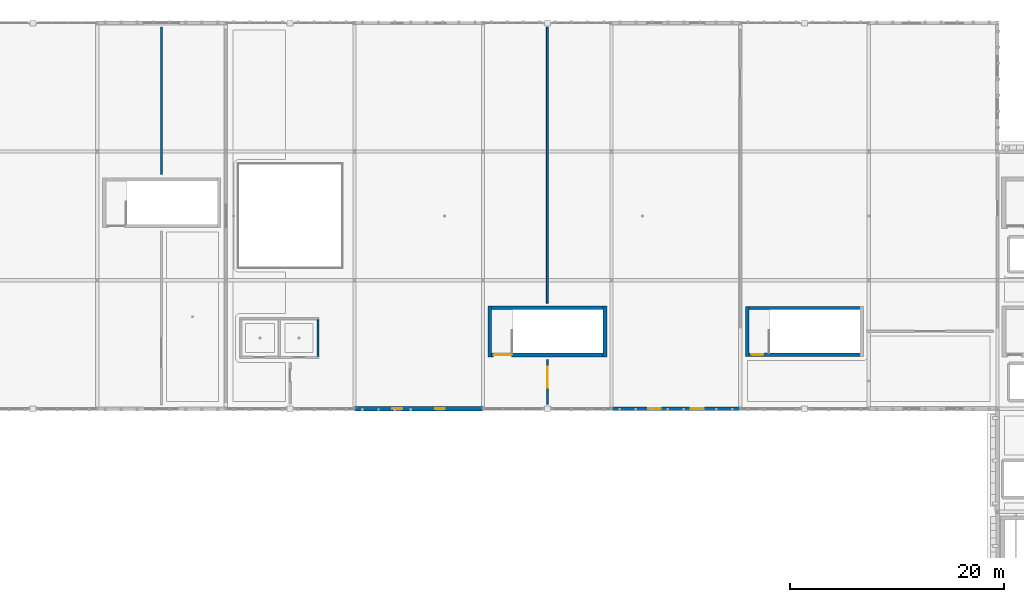
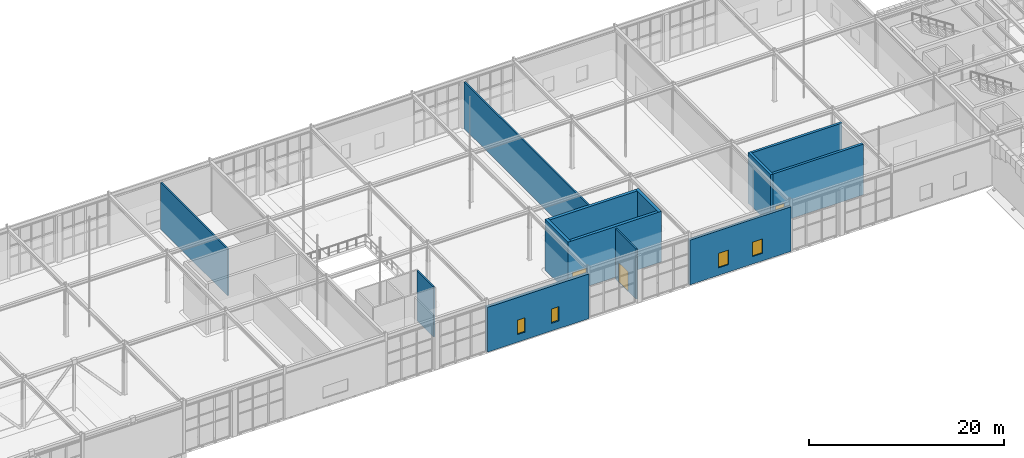
# One storey, part 38 of 62: 13 walls, 4 windows, 3 doors, 7 openings.
"""IFC4 building model written with IfcOpenShell, lengths in metres."""

from ifc_helpers import new_model, si_unit, direction, frame, frame_2d, origin, place, context, subcontext, project, spatial, rectangle, extrude, material, layer, layer_set, type_object, element, fill, save


model = new_model("IFC4")

# Units and contexts
model_context = context("Model", 3, precision=1e-05, world=origin(), true_north=direction((0.0, 1.0)))
body_context = subcontext(model_context, "Body", "Model", "MODEL_VIEW")
ifc_project = project(units=[si_unit("LENGTHUNIT", "METRE"), si_unit("AREAUNIT", "SQUARE_METRE"), si_unit("VOLUMEUNIT", "CUBIC_METRE"), si_unit("PLANEANGLEUNIT", "RADIAN"), si_unit("MASSUNIT", "GRAM", prefix="KILO")], contexts=[model_context])

# Site, building, storey
site_placement = place(None, origin())
site = spatial("IfcSite", under=ifc_project, at=site_placement, CompositionType="ELEMENT")
building_placement = place(site_placement, origin())
building = spatial("IfcBuilding", under=site, at=building_placement, Name="Zlatogorsky Bluff Art Gallery", CompositionType="ELEMENT")
storey_placement = place(building_placement, frame((0.0, 0.0, 16.800048828125)))
storey = spatial("IfcBuildingStorey", under=building, at=storey_placement, Name="L03", CompositionType="ELEMENT", Elevation=16.800048828125)

# Wall, openings, windows
ifc_material_1 = material(Name="Precast concrete C40/50", Category="concrete")
ifc_layer_1 = layer(ifc_material_1, 0.39990234375)
ifc_layer_set_1 = layer_set([ifc_layer_1], Name="Exterior Wall EW-02 400mm")
wall_type_1 = type_object("IfcWallType", Name="Exterior Wall EW-02 400mm", PredefinedType="SOLIDWALL", material=ifc_layer_set_1)
wall_1_placement = place(storey_placement, frame((60.0, 84.0, 0.0), z_axis=(0.0, 0.0, 1.0), x_axis=(1.0, 0.0, 0.0)))
wall_1 = element("IfcWall", 1, at=wall_1_placement, inside=storey, type_object=wall_type_1, Name="Exterior wall EW-02 L03 S 5.8", PredefinedType="SOLIDWALL", context=body_context, shape_type="SweptSolid", body=[
    extrude(rectangle(XDim=12.0, YDim=0.39990234375, at=frame_2d((6.0, 0.0))), origin(), (0.0, 0.0, 1.0), 5.599853515625),
])
opening_1_placement = place(wall_1_placement, frame((3.550048828125, 0.0, 0.949951171875)))
opening_1 = element("IfcOpeningElement", 2, at=opening_1_placement, cuts=wall_1, Name="Opening WN-13", PredefinedType="OPENING", context=body_context, shape_type="SweptSolid", body=[
    extrude(rectangle(XDim=0.89990234375, YDim=1.800048828125, at=frame_2d((0.449951171875, 0.89990234375))), frame((0.0, 0.2099609375, 0.0), z_axis=(0.0, -1.0, 0.0), x_axis=(1.0, 0.0, 0.0)), (0.0, 0.0, 1.0), 0.419921875),
])
opening_2_placement = place(wall_1_placement, frame((7.550048828125, 0.0, 0.949951171875)))
opening_2 = element("IfcOpeningElement", 3, at=opening_2_placement, cuts=wall_1, Name="Opening WN-13", PredefinedType="OPENING", context=body_context, shape_type="SweptSolid", body=[
    extrude(rectangle(XDim=0.89990234375, YDim=1.800048828125, at=frame_2d((0.449951171875, 0.89990234375))), frame((0.0, 0.2099609375, 0.0), z_axis=(0.0, -1.0, 0.0), x_axis=(1.0, 0.0, 0.0)), (0.0, 0.0, 1.0), 0.419921875),
])
ifc_material_2 = material(Name="Bronze-Anodised Aluminium Triple Glazing", Category="aluminium")
window_type_1 = type_object("IfcWindowType", Name="Pointed-Reveal Window WN-13 900x1800", PartitioningType="SINGLE_PANEL", PredefinedType="WINDOW", material=ifc_material_2)
window_1_placement = place(opening_1_placement, origin())
window_1 = element("IfcWindow", 4, at=window_1_placement, inside=storey, type_object=window_type_1, Name="Window WN-13 L03.S.5.8.1", OverallHeight=1.800048828125, OverallWidth=0.89990234375, PartitioningType="SINGLE_PANEL", PredefinedType="WINDOW", context=body_context, shape_type="SweptSolid", body=[
    extrude(rectangle(XDim=0.89990234375, YDim=1.800048828125, at=frame_2d((0.449951171875, 0.89990234375))), frame((0.0, 0.030029296875, 0.0), z_axis=(0.0, -1.0, 0.0), x_axis=(1.0, 0.0, 0.0)), (0.0, 0.0, 1.0), 0.06005859375),
])
fill(opening_1, window_1)
window_2_placement = place(opening_2_placement, origin())
window_2 = element("IfcWindow", 5, at=window_2_placement, inside=storey, type_object=window_type_1, Name="Window WN-13 L03.S.5.8.2", OverallHeight=1.800048828125, OverallWidth=0.89990234375, PartitioningType="SINGLE_PANEL", PredefinedType="WINDOW", context=body_context, shape_type="SweptSolid", body=[
    extrude(rectangle(XDim=0.89990234375, YDim=1.800048828125, at=frame_2d((0.449951171875, 0.89990234375))), frame((0.0, 0.030029296875, 0.0), z_axis=(0.0, -1.0, 0.0), x_axis=(1.0, 0.0, 0.0)), (0.0, 0.0, 1.0), 0.06005859375),
])
fill(opening_2, window_2)

ifc_layer_2 = layer(ifc_material_1, 0.320068359375)
ifc_layer_set_2 = layer_set([ifc_layer_2], Name="Exterior Wall EW-04 320mm")
wall_type_2 = type_object("IfcWallType", Name="Exterior Wall EW-04 320mm", PredefinedType="SOLIDWALL", material=ifc_layer_set_2)
wall_2_placement = place(storey_placement, frame((84.0, 84.0, 0.0), z_axis=(0.0, 0.0, 1.0), x_axis=(1.0, 0.0, 0.0)))
wall_2 = element("IfcWall", 6, at=wall_2_placement, inside=storey, type_object=wall_type_2, Name="Exterior wall EW-04 L03 S 7.8", PredefinedType="SOLIDWALL", context=body_context, shape_type="SweptSolid", body=[
    extrude(rectangle(XDim=12.0, YDim=0.320068359375, at=frame_2d((6.0, 0.0))), origin(), (0.0, 0.0, 1.0), 5.599853515625),
])
opening_3_placement = place(wall_2_placement, frame((3.39990234375, 0.0, 0.949951171875)))
opening_3 = element("IfcOpeningElement", 7, at=opening_3_placement, cuts=wall_2, Name="Opening WN-15", PredefinedType="OPENING", context=body_context, shape_type="SweptSolid", body=[
    extrude(rectangle(XDim=1.199951171875, YDim=1.800048828125, at=frame_2d((0.60009765625, 0.89990234375))), frame((0.0, 0.169921875, 0.0), z_axis=(0.0, -1.0, 0.0), x_axis=(1.0, 0.0, 0.0)), (0.0, 0.0, 1.0), 0.340087890625),
])
opening_4_placement = place(wall_2_placement, frame((7.39990234375, 0.0, 0.949951171875)))
opening_4 = element("IfcOpeningElement", 8, at=opening_4_placement, cuts=wall_2, Name="Opening WN-15", PredefinedType="OPENING", context=body_context, shape_type="SweptSolid", body=[
    extrude(rectangle(XDim=1.199951171875, YDim=1.800048828125, at=frame_2d((0.60009765625, 0.89990234375))), frame((0.0, 0.169921875, 0.0), z_axis=(0.0, -1.0, 0.0), x_axis=(1.0, 0.0, 0.0)), (0.0, 0.0, 1.0), 0.340087890625),
])
window_type_2 = type_object("IfcWindowType", Name="Pointed-Reveal Window WN-15 1200x1800", PartitioningType="SINGLE_PANEL", PredefinedType="WINDOW", material=ifc_material_2)
window_3_placement = place(opening_3_placement, origin())
window_3 = element("IfcWindow", 9, at=window_3_placement, inside=storey, type_object=window_type_2, Name="Window WN-15 L03.S.7.8.1", OverallHeight=1.800048828125, OverallWidth=1.199951171875, PartitioningType="SINGLE_PANEL", PredefinedType="WINDOW", context=body_context, shape_type="SweptSolid", body=[
    extrude(rectangle(XDim=1.199951171875, YDim=1.800048828125, at=frame_2d((0.60009765625, 0.89990234375))), frame((0.0, 0.030029296875, 0.0), z_axis=(0.0, -1.0, 0.0), x_axis=(1.0, 0.0, 0.0)), (0.0, 0.0, 1.0), 0.06005859375),
])
fill(opening_3, window_3)
window_4_placement = place(opening_4_placement, origin())
window_4 = element("IfcWindow", 10, at=window_4_placement, inside=storey, type_object=window_type_2, Name="Window WN-15 L03.S.7.8.2", OverallHeight=1.800048828125, OverallWidth=1.199951171875, PartitioningType="SINGLE_PANEL", PredefinedType="WINDOW", context=body_context, shape_type="SweptSolid", body=[
    extrude(rectangle(XDim=1.199951171875, YDim=1.800048828125, at=frame_2d((0.60009765625, 0.89990234375))), frame((0.0, 0.030029296875, 0.0), z_axis=(0.0, -1.0, 0.0), x_axis=(1.0, 0.0, 0.0)), (0.0, 0.0, 1.0), 0.06005859375),
])
fill(opening_4, window_4)

# Walls
ifc_material_3 = material(Name="Concrete C30/37", Category="concrete")
ifc_layer_3 = layer(ifc_material_3, 0.179931640625)
ifc_layer_set_3 = layer_set([ifc_layer_3], Name="Interior Wall IW-02 180mm")
wall_type_3 = type_object("IfcWallType", Name="Interior Wall IW-02 180mm", PredefinedType="PARTITIONING", material=ifc_layer_set_3)
wall_3_placement = place(storey_placement, frame((56.60009765625, 88.89990234375, 0.0), z_axis=(0.0, 0.0, 1.0), x_axis=(0.0, 1.0, 0.0)))
element("IfcWall", 11, at=wall_3_placement, inside=storey, type_object=wall_type_3, Name="Restroom enclosure partition IW-L03-WC-E", PredefinedType="PARTITIONING", context=body_context, shape_type="SweptSolid", body=[
    extrude(rectangle(XDim=3.400146484375, YDim=0.179931640625, at=frame_2d((1.7001953125, 0.0))), origin(), (0.0, 0.0, 1.0), 6.31005859375),
])
wall_4_placement = place(storey_placement, frame((42.0, 105.8701171875, 0.0), z_axis=(0.0, 0.0, 1.0), x_axis=(0.0, 1.0, 0.0)))
element("IfcWall", 12, at=wall_4_placement, inside=storey, type_object=wall_type_3, Name="Partition IW-02 between L03-G1-12 and L03-G1-13-S2", PredefinedType="PARTITIONING", context=body_context, shape_type="SweptSolid", body=[
    extrude(rectangle(XDim=13.75, YDim=0.179931640625, at=frame_2d((6.875, 0.0))), origin(), (0.0, 0.0, 1.0), 5.869873046875),
])

# Wall, opening, door
wall_5_placement = place(storey_placement, frame((78.0, 84.3798828125, 0.0), z_axis=(0.0, 0.0, 1.0), x_axis=(0.0, 1.0, 0.0)))
wall_5 = element("IfcWall", 13, at=wall_5_placement, inside=storey, type_object=wall_type_3, Name="Partition IW-02 between L03-G2-12 and L03-G2-13-S1", PredefinedType="PARTITIONING", context=body_context, shape_type="SweptSolid", body=[
    extrude(rectangle(XDim=4.2001953125, YDim=0.179931640625, at=frame_2d((2.10009765625, 0.0))), origin(), (0.0, 0.0, 1.0), 6.31005859375),
])
opening_5_placement = place(wall_5_placement, frame((1.60009765625, 0.0, 0.0)))
opening_5 = element("IfcOpeningElement", 14, at=opening_5_placement, cuts=wall_5, Name="Opening ID-12", PredefinedType="OPENING", context=body_context, shape_type="SweptSolid", body=[
    extrude(rectangle(XDim=1.949951171875, YDim=2.449951171875, at=frame_2d((0.97509765625, 1.22509765625))), frame((0.0, 0.099853515625, 0.0), z_axis=(0.0, -1.0, 0.0), x_axis=(1.0, 0.0, 0.0)), (0.0, 0.0, 1.0), 0.199951171875),
])
ifc_material_4 = material(Name="Anodised Aluminium and Laminated Timber", Category="wood")
door_type_1 = type_object("IfcDoorType", Name="Interior Door ID-12 1950x2450", OperationType="DOUBLE_DOOR_SINGLE_SWING", PredefinedType="DOOR", material=ifc_material_4)
door_1_placement = place(opening_5_placement, origin())
door_1 = element("IfcDoor", 15, at=door_1_placement, inside=storey, type_object=door_type_1, Name="Door ID-12 L03-G2-12-L03-G2-13-S1", OperationType="DOUBLE_DOOR_SINGLE_SWING", OverallHeight=2.449951171875, OverallWidth=1.949951171875, PredefinedType="DOOR", context=body_context, shape_type="SweptSolid", body=[
    extrude(rectangle(XDim=1.949951171875, YDim=2.449951171875, at=frame_2d((0.97509765625, 1.22509765625))), frame((0.0, 0.02490234375, 0.0), z_axis=(0.0, -1.0, 0.0), x_axis=(1.0, 0.0, 0.0)), (0.0, 0.0, 1.0), 0.050048828125),
])
fill(opening_5, door_1)

# Wall
wall_6_placement = place(storey_placement, frame((78.0, 93.8701171875, 0.0), z_axis=(0.0, 0.0, 1.0), x_axis=(0.0, 1.0, 0.0)))
element("IfcWall", 16, at=wall_6_placement, inside=storey, type_object=wall_type_3, Name="Partition IW-02 between L03-G2-12 and L03-G2-13-S2", PredefinedType="PARTITIONING", context=body_context, shape_type="SweptSolid", body=[
    extrude(rectangle(XDim=25.75, YDim=0.179931640625, at=frame_2d((12.875, 0.0))), origin(), (0.0, 0.0, 1.0), 5.869873046875),
])

# Wall, opening, door
ifc_material_5 = material(Name="Concrete C35/45", Category="concrete")
ifc_layer_4 = layer(ifc_material_5, 0.300048828125)
ifc_layer_set_4 = layer_set([ifc_layer_4], Name="Interior Wall SW-01 300mm")
wall_type_4 = type_object("IfcWallType", Name="Interior Wall SW-01 300mm", PredefinedType="SHEAR", material=ifc_layer_set_4)
wall_7_placement = place(storey_placement, frame((96.5, 89.050048828125, 0.0), z_axis=(0.0, 0.0, 1.0), x_axis=(1.0, 0.0, 0.0)))
wall_7 = element("IfcWall", 17, at=wall_7_placement, inside=storey, type_object=wall_type_4, Name="Stair ST-01 enclosure wall L03 W0", PredefinedType="SHEAR", context=body_context, shape_type="SweptSolid", body=[
    extrude(rectangle(XDim=11.0, YDim=0.300048828125, at=frame_2d((5.5, 0.0))), origin(), (0.0, 0.0, 1.0), 6.349853515625),
])
opening_6_placement = place(wall_7_placement, frame((0.550048828125, 0.0, 0.0)))
opening_6 = element("IfcOpeningElement", 18, at=opening_6_placement, cuts=wall_7, Name="Opening FD-01", PredefinedType="OPENING", context=body_context, shape_type="SweptSolid", body=[
    extrude(rectangle(XDim=1.1201171875, YDim=2.199951171875, at=frame_2d((0.56005859375, 1.10009765625))), frame((0.0, 0.159912109375, 0.0), z_axis=(0.0, -1.0, 0.0), x_axis=(1.0, 0.0, 0.0)), (0.0, 0.0, 1.0), 0.320068359375),
])
door_type_2 = type_object("IfcDoorType", Name="Interior Door FD-01 1120x2200", OperationType="SINGLE_SWING_LEFT", PredefinedType="DOOR", material=ifc_material_4)
door_2_placement = place(opening_6_placement, origin())
door_2 = element("IfcDoor", 19, at=door_2_placement, inside=storey, type_object=door_type_2, Name="Stair ST-01 fire door L03", OperationType="SINGLE_SWING_LEFT", OverallHeight=2.199951171875, OverallWidth=1.1201171875, PredefinedType="DOOR", context=body_context, shape_type="SweptSolid", body=[
    extrude(rectangle(XDim=1.1201171875, YDim=2.199951171875, at=frame_2d((0.56005859375, 1.10009765625))), frame((0.0, 0.02490234375, 0.0), z_axis=(0.0, -1.0, 0.0), x_axis=(1.0, 0.0, 0.0)), (0.0, 0.0, 1.0), 0.050048828125),
])
fill(opening_6, door_2)

# Walls
wall_8_placement = place(storey_placement, frame((107.5, 93.39990234375, 0.0), z_axis=(0.0, 0.0, 1.0), x_axis=(-1.0, 0.0, 0.0)))
element("IfcWall", 20, at=wall_8_placement, inside=storey, type_object=wall_type_4, Name="Stair ST-01 enclosure wall L03 W1", PredefinedType="SHEAR", context=body_context, shape_type="SweptSolid", body=[
    extrude(rectangle(XDim=11.0, YDim=0.300048828125, at=frame_2d((5.5, 0.0))), origin(), (0.0, 0.0, 1.0), 6.349853515625),
])
wall_9_placement = place(storey_placement, frame((96.64990234375, 93.550048828125, 0.0), z_axis=(0.0, 0.0, 1.0), x_axis=(0.0, -1.0, 0.0)))
element("IfcWall", 21, at=wall_9_placement, inside=storey, type_object=wall_type_4, Name="Stair ST-01 enclosure wall L03 LEND", PredefinedType="SHEAR", context=body_context, shape_type="SweptSolid", body=[
    extrude(rectangle(XDim=4.650146484375, YDim=0.300048828125, at=frame_2d((2.3251953125, 0.0))), origin(), (0.0, 0.0, 1.0), 6.349853515625),
])

# Wall, opening, door
ifc_layer_5 = layer(ifc_material_5, 0.35009765625)
ifc_layer_set_5 = layer_set([ifc_layer_5], Name="Interior Wall SW-02 350mm")
wall_type_5 = type_object("IfcWallType", Name="Interior Wall SW-02 350mm", PredefinedType="SHEAR", material=ifc_layer_set_5)
wall_10_placement = place(storey_placement, frame((72.449951171875, 89.02490234375, 0.0), z_axis=(0.0, 0.0, 1.0), x_axis=(1.0, 0.0, 0.0)))
wall_10 = element("IfcWall", 22, at=wall_10_placement, inside=storey, type_object=wall_type_5, Name="Stair ST-08 enclosure wall L03 W0", PredefinedType="SHEAR", context=body_context, shape_type="SweptSolid", body=[
    extrude(rectangle(XDim=11.10009765625, YDim=0.35009765625, at=frame_2d((5.550048828125, 0.0))), origin(), (0.0, 0.0, 1.0), 6.349853515625),
])
opening_7_placement = place(wall_10_placement, frame((0.550048828125, 0.0, 0.0)))
opening_7 = element("IfcOpeningElement", 23, at=opening_7_placement, cuts=wall_10, Name="Opening FD-04", PredefinedType="OPENING", context=body_context, shape_type="SweptSolid", body=[
    extrude(rectangle(XDim=1.679931640625, YDim=2.35009765625, at=frame_2d((0.83984375, 1.175048828125))), frame((0.0, 0.18505859375, 0.0), z_axis=(0.0, -1.0, 0.0), x_axis=(1.0, 0.0, 0.0)), (0.0, 0.0, 1.0), 0.3701171875),
])
door_type_3 = type_object("IfcDoorType", Name="Interior Door FD-04 1680x2350", OperationType="DOUBLE_DOOR_SINGLE_SWING", PredefinedType="DOOR", material=ifc_material_4)
door_3_placement = place(opening_7_placement, origin())
door_3 = element("IfcDoor", 24, at=door_3_placement, inside=storey, type_object=door_type_3, Name="Stair ST-08 fire door L03", OperationType="DOUBLE_DOOR_SINGLE_SWING", OverallHeight=2.35009765625, OverallWidth=1.679931640625, PredefinedType="DOOR", context=body_context, shape_type="SweptSolid", body=[
    extrude(rectangle(XDim=1.679931640625, YDim=2.35009765625, at=frame_2d((0.83984375, 1.175048828125))), frame((0.0, 0.02490234375, 0.0), z_axis=(0.0, -1.0, 0.0), x_axis=(1.0, 0.0, 0.0)), (0.0, 0.0, 1.0), 0.050048828125),
])
fill(opening_7, door_3)

# Walls
wall_11_placement = place(storey_placement, frame((83.375, 88.85009765625, 0.0), z_axis=(0.0, 0.0, 1.0), x_axis=(0.0, 1.0, 0.0)))
element("IfcWall", 25, at=wall_11_placement, inside=storey, type_object=wall_type_5, Name="Stair ST-08 enclosure wall L03 FEND", PredefinedType="SHEAR", context=body_context, shape_type="SweptSolid", body=[
    extrude(rectangle(XDim=4.75, YDim=0.35009765625, at=frame_2d((2.375, 0.0))), origin(), (0.0, 0.0, 1.0), 6.349853515625),
])
wall_12_placement = place(storey_placement, frame((83.550048828125, 93.425048828125, 0.0), z_axis=(0.0, 0.0, 1.0), x_axis=(-1.0, 0.0, 0.0)))
element("IfcWall", 26, at=wall_12_placement, inside=storey, type_object=wall_type_5, Name="Stair ST-08 enclosure wall L03 W1", PredefinedType="SHEAR", context=body_context, shape_type="SweptSolid", body=[
    extrude(rectangle(XDim=11.10009765625, YDim=0.35009765625, at=frame_2d((5.550048828125, 0.0))), origin(), (0.0, 0.0, 1.0), 6.349853515625),
])
wall_13_placement = place(storey_placement, frame((72.625, 93.60009765625, 0.0), z_axis=(0.0, 0.0, 1.0), x_axis=(0.0, -1.0, 0.0)))
element("IfcWall", 27, at=wall_13_placement, inside=storey, type_object=wall_type_5, Name="Stair ST-08 enclosure wall L03 LEND", PredefinedType="SHEAR", context=body_context, shape_type="SweptSolid", body=[
    extrude(rectangle(XDim=4.75, YDim=0.35009765625, at=frame_2d((2.375, 0.0))), origin(), (0.0, 0.0, 1.0), 6.349853515625),
])

save(model, "model.ifc")
